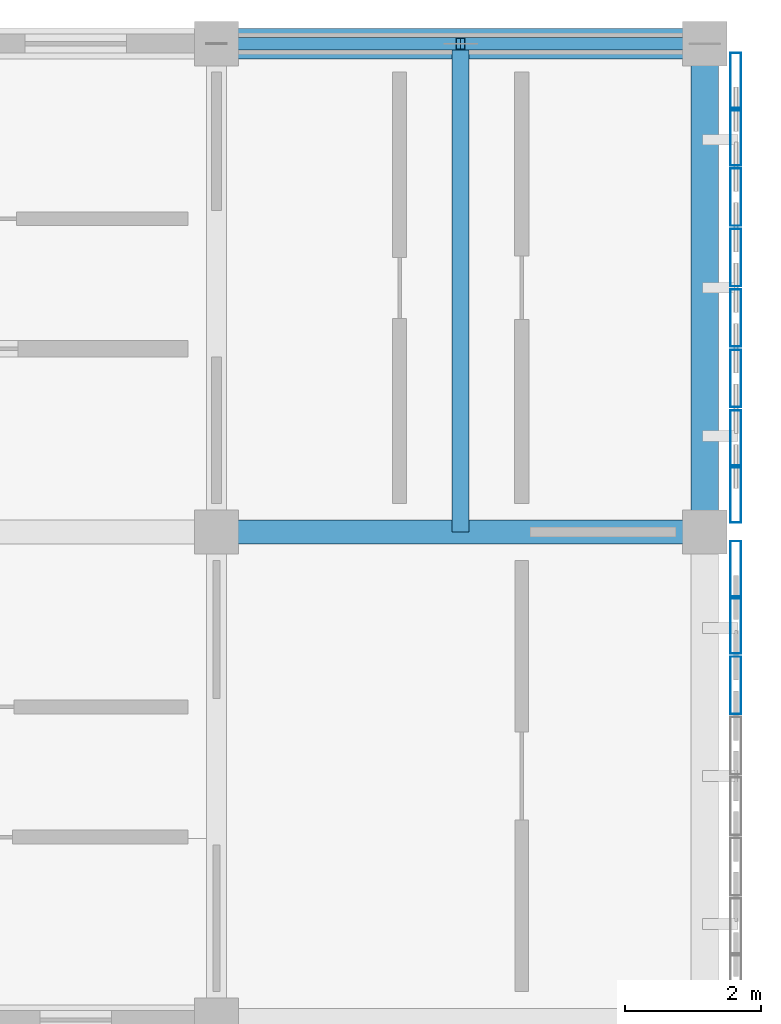
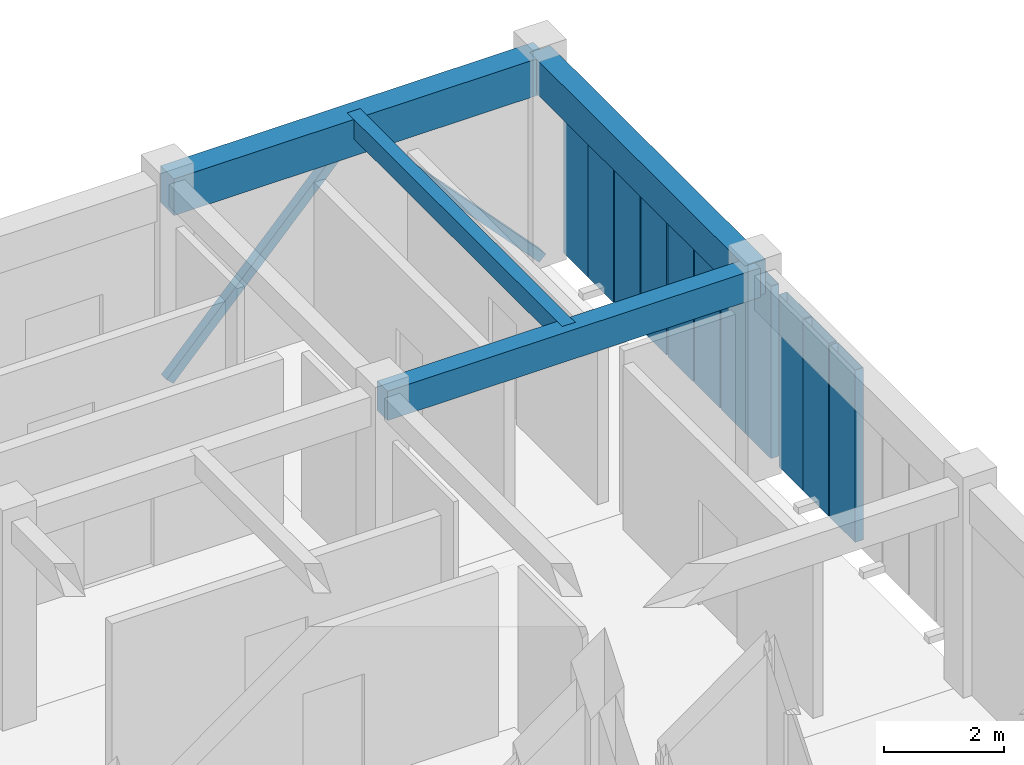
# One storey, part 68 of 171: 13 members, 4 beams, 2 elements without a shape of their own.
"""IFC4 building model written with IfcOpenShell, lengths in metres."""

from ifc_helpers import new_model, si_unit, direction, frame, origin, origin_2d, place, context, subcontext, project, spatial, rectangle, hollow_rectangle, extrude, material, material_profile, profile_set, type_object, element, aggregate, save


model = new_model("IFC4")

# Units and contexts
model_context = context("Model", 3, precision=1e-05, world=origin(), true_north=direction((0.0, 1.0)))
body_context = subcontext(model_context, "Body", "Model", "MODEL_VIEW")
ifc_project = project(units=[si_unit("LENGTHUNIT", "METRE"), si_unit("AREAUNIT", "SQUARE_METRE"), si_unit("VOLUMEUNIT", "CUBIC_METRE"), si_unit("PLANEANGLEUNIT", "RADIAN"), si_unit("MASSUNIT", "GRAM", prefix="KILO")], contexts=[model_context])

# Site, building, storey
site_placement = place(None, origin())
site = spatial("IfcSite", under=ifc_project, at=site_placement, CompositionType="ELEMENT")
building_placement = place(site_placement, origin())
building = spatial("IfcBuilding", under=site, at=building_placement, Name="Aldebral Square Health Centre", CompositionType="ELEMENT")
storey_placement = place(building_placement, frame((0.0, 0.0, 4.5)))
storey = spatial("IfcBuildingStorey", under=building, at=storey_placement, Name="L01", CompositionType="ELEMENT", Elevation=4.5)

# Beams
ifc_material_1 = material(Name="Concrete C40/50", Category="concrete")
ifc_material_profile_1 = material_profile(ifc_material_1, rectangle(XDim=0.35009765625, YDim=0.60009765625, at=origin_2d()), Name="RC 350x600")
ifc_profile_set_1 = profile_set([ifc_material_profile_1], Name="Concrete C40/50")
beam_type_1 = type_object("IfcBeamType", Name="BM-B2", PredefinedType="BEAM", material=ifc_profile_set_1)
beam_1_placement = place(storey_placement, frame((158.39990234375, 108.0, 3.919921875), z_axis=(1.0, 0.0, 0.0), x_axis=(0.0, 1.0, 0.0)))
element("IfcBeam", 1, at=beam_1_placement, inside=storey, type_object=beam_type_1, Name="L01 X-beam 23-24/G16", PredefinedType="BEAM", context=body_context, shape_type="SweptSolid", body=[
    extrude(rectangle(XDim=0.35009765625, YDim=0.60009765625, at=origin_2d()), origin(), (0.0, 0.0, 1.0), 7.2001953125),
])
ifc_material_profile_2 = material_profile(ifc_material_1, rectangle(XDim=0.25, YDim=0.39990234375, at=origin_2d()), Name="RC 250x400")
ifc_profile_set_2 = profile_set([ifc_material_profile_2], Name="Concrete C40/50")
beam_type_2 = type_object("IfcBeamType", Name="BM-B6", PredefinedType="JOIST", material=ifc_profile_set_2)
beam_2_placement = place(storey_placement, frame((162.0, 108.0, 4.02001953125), z_axis=(0.0, 1.0, 0.0), x_axis=(-1.0, 0.0, 0.0)))
element("IfcBeam", 2, at=beam_2_placement, inside=storey, type_object=beam_type_2, Name="L01 secondary rib 23.16", PredefinedType="JOIST", context=body_context, shape_type="SweptSolid", body=[
    extrude(rectangle(XDim=0.25, YDim=0.39990234375, at=origin_2d()), origin(), (0.0, 0.0, 1.0), 7.199951171875),
])
ifc_material_profile_3 = material_profile(ifc_material_1, rectangle(XDim=0.449951171875, YDim=0.75, at=origin_2d()), Name="RC 450x750")
ifc_profile_set_3 = profile_set([ifc_material_profile_3], Name="Concrete C40/50")
beam_type_3 = type_object("IfcBeamType", Name="BM-G2", PredefinedType="T_BEAM", material=ifc_profile_set_3)
beam_3_placement = place(storey_placement, frame((158.39990234375, 115.199951171875, 3.844970703125), z_axis=(1.0, 0.0, 0.0), x_axis=(0.0, 1.0, 0.0)))
element("IfcBeam", 3, at=beam_3_placement, inside=storey, type_object=beam_type_3, Name="L01 X-beam 23-24/G17", PredefinedType="T_BEAM", context=body_context, shape_type="SweptSolid", body=[
    extrude(rectangle(XDim=0.449951171875, YDim=0.75, at=origin_2d()), origin(), (0.0, 0.0, 1.0), 7.2001953125),
])
ifc_material_profile_4 = material_profile(ifc_material_1, rectangle(XDim=0.39990234375, YDim=0.699951171875, at=origin_2d()), Name="RC 400x700")
ifc_profile_set_4 = profile_set([ifc_material_profile_4], Name="Concrete C40/50")
beam_type_4 = type_object("IfcBeamType", Name="BM-G3", PredefinedType="T_BEAM", material=ifc_profile_set_4)
beam_4_placement = place(storey_placement, frame((165.60009765625, 108.0, 3.8701171875), z_axis=(0.0, 1.0, 0.0), x_axis=(-1.0, 0.0, 0.0)))
element("IfcBeam", 4, at=beam_4_placement, inside=storey, type_object=beam_type_4, Name="L01 Y-beam G24/16-17", PredefinedType="T_BEAM", context=body_context, shape_type="SweptSolid", body=[
    extrude(rectangle(XDim=0.39990234375, YDim=0.699951171875, at=origin_2d()), origin(), (0.0, 0.0, 1.0), 7.199951171875),
])

# Curtain wall, members
ifc_material_2 = material(Name="Aluminium and low-E solar glass", Category="aluminium")
curtain_wall_type = type_object("IfcCurtainWallType", Name="CW-FIN-SYS", PredefinedType="USERDEFINED", material=ifc_material_2)
curtain_wall_1_placement = place(storey_placement, origin())
curtain_wall_1 = element("IfcCurtainWall", 5, at=curtain_wall_1_placement, inside=storey, type_object=curtain_wall_type, Name="L01 V5 finned curtain wall L01-V5-22-14-E", ObjectType="SOLAR_CURTAIN_WALL", PredefinedType="USERDEFINED")
ifc_material_3 = material(Name="Sienna-terracotta clad aluminium fin", Category="masonry")
ifc_material_profile_5 = material_profile(ifc_material_3, hollow_rectangle(XDim=0.159912109375, YDim=0.85009765625, WallThickness=0.006103515625, at=origin_2d()), Name="FIN 160x850x6")
ifc_profile_set_5 = profile_set([ifc_material_profile_5], Name="Sienna-terracotta clad aluminium fin")
member_type_1 = type_object("IfcMemberType", Name="CWM-FIN", PredefinedType="MULLION", material=ifc_profile_set_5)
member_1_placement = place(storey_placement, frame((166.06005859375, 105.737060546875, 0.0), z_axis=(0.0, 0.0, 1.0), x_axis=(-1.0, 0.0, 0.0)))
member_1 = element("IfcMember", 6, at=member_1_placement, type_object=member_type_1, Name="CW1 mullion 6", PredefinedType="MULLION", context=body_context, shape_type="SweptSolid", body=[
    extrude(hollow_rectangle(XDim=0.159912109375, YDim=0.85009765625, WallThickness=0.006103515625, at=origin_2d()), origin(), (0.0, 0.0, 1.0), 3.52001953125),
])
member_2_placement = place(storey_placement, frame((166.06005859375, 106.628662109375, 0.0), z_axis=(0.0, 0.0, 1.0), x_axis=(-1.0, 0.0, 0.0)))
member_2 = element("IfcMember", 7, at=member_2_placement, type_object=member_type_1, Name="CW1 mullion 7", PredefinedType="MULLION", context=body_context, shape_type="SweptSolid", body=[
    extrude(hollow_rectangle(XDim=0.159912109375, YDim=0.85009765625, WallThickness=0.006103515625, at=origin_2d()), origin(), (0.0, 0.0, 1.0), 3.52001953125),
])
member_3_placement = place(storey_placement, frame((166.06005859375, 107.43994140625, 0.0), z_axis=(0.0, 0.0, 1.0), x_axis=(-1.0, 0.0, 0.0)))
member_3 = element("IfcMember", 8, at=member_3_placement, type_object=member_type_1, Name="CW1 mullion 8", PredefinedType="MULLION", context=body_context, shape_type="SweptSolid", body=[
    extrude(hollow_rectangle(XDim=0.159912109375, YDim=0.85009765625, WallThickness=0.006103515625, at=origin_2d()), origin(), (0.0, 0.0, 1.0), 3.52001953125),
])
aggregate(curtain_wall_1, [member_1, member_2, member_3])

curtain_wall_2_placement = place(storey_placement, origin())
curtain_wall_2 = element("IfcCurtainWall", 9, at=curtain_wall_2_placement, inside=storey, type_object=curtain_wall_type, Name="L01 V5 finned curtain wall L01-V5-22-15-E", ObjectType="SOLAR_CURTAIN_WALL", PredefinedType="USERDEFINED")
member_4_placement = place(storey_placement, frame((166.06005859375, 108.56005859375, 0.0), z_axis=(0.0, 0.0, 1.0), x_axis=(-1.0, 0.0, 0.0)))
member_4 = element("IfcMember", 10, at=member_4_placement, type_object=member_type_1, Name="CW1 mullion 1", PredefinedType="MULLION", context=body_context, shape_type="SweptSolid", body=[
    extrude(hollow_rectangle(XDim=0.159912109375, YDim=0.85009765625, WallThickness=0.006103515625, at=origin_2d()), origin(), (0.0, 0.0, 1.0), 3.52001953125),
])
member_5_placement = place(storey_placement, frame((166.06005859375, 109.371337890625, 0.0), z_axis=(0.0, 0.0, 1.0), x_axis=(-1.0, 0.0, 0.0)))
member_5 = element("IfcMember", 11, at=member_5_placement, type_object=member_type_1, Name="CW1 mullion 2", PredefinedType="MULLION", context=body_context, shape_type="SweptSolid", body=[
    extrude(hollow_rectangle(XDim=0.159912109375, YDim=0.85009765625, WallThickness=0.006103515625, at=origin_2d()), origin(), (0.0, 0.0, 1.0), 3.52001953125),
])
member_6_placement = place(storey_placement, frame((166.06005859375, 110.262939453125, 0.0), z_axis=(0.0, 0.0, 1.0), x_axis=(-1.0, 0.0, 0.0)))
member_6 = element("IfcMember", 12, at=member_6_placement, type_object=member_type_1, Name="CW1 mullion 3", PredefinedType="MULLION", context=body_context, shape_type="SweptSolid", body=[
    extrude(hollow_rectangle(XDim=0.159912109375, YDim=0.85009765625, WallThickness=0.006103515625, at=origin_2d()), origin(), (0.0, 0.0, 1.0), 3.52001953125),
])
member_7_placement = place(storey_placement, frame((166.06005859375, 111.154296875, 0.0), z_axis=(0.0, 0.0, 1.0), x_axis=(-1.0, 0.0, 0.0)))
member_7 = element("IfcMember", 13, at=member_7_placement, type_object=member_type_1, Name="CW1 mullion 4", PredefinedType="MULLION", context=body_context, shape_type="SweptSolid", body=[
    extrude(hollow_rectangle(XDim=0.159912109375, YDim=0.85009765625, WallThickness=0.006103515625, at=origin_2d()), origin(), (0.0, 0.0, 1.0), 3.52001953125),
])
member_8_placement = place(storey_placement, frame((166.06005859375, 112.045654296875, 0.0), z_axis=(0.0, 0.0, 1.0), x_axis=(-1.0, 0.0, 0.0)))
member_8 = element("IfcMember", 14, at=member_8_placement, type_object=member_type_1, Name="CW1 mullion 5", PredefinedType="MULLION", context=body_context, shape_type="SweptSolid", body=[
    extrude(hollow_rectangle(XDim=0.159912109375, YDim=0.85009765625, WallThickness=0.006103515625, at=origin_2d()), origin(), (0.0, 0.0, 1.0), 3.52001953125),
])
member_9_placement = place(storey_placement, frame((166.06005859375, 112.937255859375, 0.0), z_axis=(0.0, 0.0, 1.0), x_axis=(-1.0, 0.0, 0.0)))
member_9 = element("IfcMember", 15, at=member_9_placement, type_object=member_type_1, Name="CW1 mullion 6", PredefinedType="MULLION", context=body_context, shape_type="SweptSolid", body=[
    extrude(hollow_rectangle(XDim=0.159912109375, YDim=0.85009765625, WallThickness=0.006103515625, at=origin_2d()), origin(), (0.0, 0.0, 1.0), 3.52001953125),
])
member_10_placement = place(storey_placement, frame((166.06005859375, 113.82861328125, 0.0), z_axis=(0.0, 0.0, 1.0), x_axis=(-1.0, 0.0, 0.0)))
member_10 = element("IfcMember", 16, at=member_10_placement, type_object=member_type_1, Name="CW1 mullion 7", PredefinedType="MULLION", context=body_context, shape_type="SweptSolid", body=[
    extrude(hollow_rectangle(XDim=0.159912109375, YDim=0.85009765625, WallThickness=0.006103515625, at=origin_2d()), origin(), (0.0, 0.0, 1.0), 3.52001953125),
])
member_11_placement = place(storey_placement, frame((166.06005859375, 114.639892578125, 0.0), z_axis=(0.0, 0.0, 1.0), x_axis=(-1.0, 0.0, 0.0)))
member_11 = element("IfcMember", 17, at=member_11_placement, type_object=member_type_1, Name="CW1 mullion 8", PredefinedType="MULLION", context=body_context, shape_type="SweptSolid", body=[
    extrude(hollow_rectangle(XDim=0.159912109375, YDim=0.85009765625, WallThickness=0.006103515625, at=origin_2d()), origin(), (0.0, 0.0, 1.0), 3.52001953125),
])
aggregate(curtain_wall_2, [member_4, member_5, member_6, member_7, member_8, member_9, member_10, member_11])

# Members
ifc_material_4 = material(Name="Steel S355JR", Category="steel")
ifc_material_profile_6 = material_profile(ifc_material_4, hollow_rectangle(XDim=0.179931640625, YDim=0.179931640625, WallThickness=0.010009765625, at=origin_2d()), Name="180x180x10 SHS")
ifc_profile_set_6 = profile_set([ifc_material_profile_6], Name="Steel S355JR")
member_type_2 = type_object("IfcMemberType", Name="MEM-BR1", PredefinedType="BRACE", material=ifc_profile_set_6)
for number, where, z_axis, x_axis, name in (
    (18, (158.39990234375, 115.199951171875, 0.0), (0.683479995784, 0.0, 0.729969242751), (0.0, 1.0, 0.0), "L01 exterior north chevron brace L 23"),
    (19, (165.60009765625, 115.199951171875, 0.0), (-0.683479995784, 0.0, 0.729969242751), (0.0, -1.0, 0.0), "L01 exterior north chevron brace R 23"),
):
    element("IfcMember", number, at=place(storey_placement, frame(where, z_axis=z_axis, x_axis=x_axis)), inside=storey, type_object=member_type_2, Name=name, PredefinedType="BRACE", context=body_context, shape_type="SweptSolid", body=[
        extrude(hollow_rectangle(XDim=0.179931640625, YDim=0.179931640625, WallThickness=0.010009765625, at=origin_2d()), origin(), (0.0, 0.0, 1.0), 5.267333984375),
    ])

save(model, "model.ifc")
